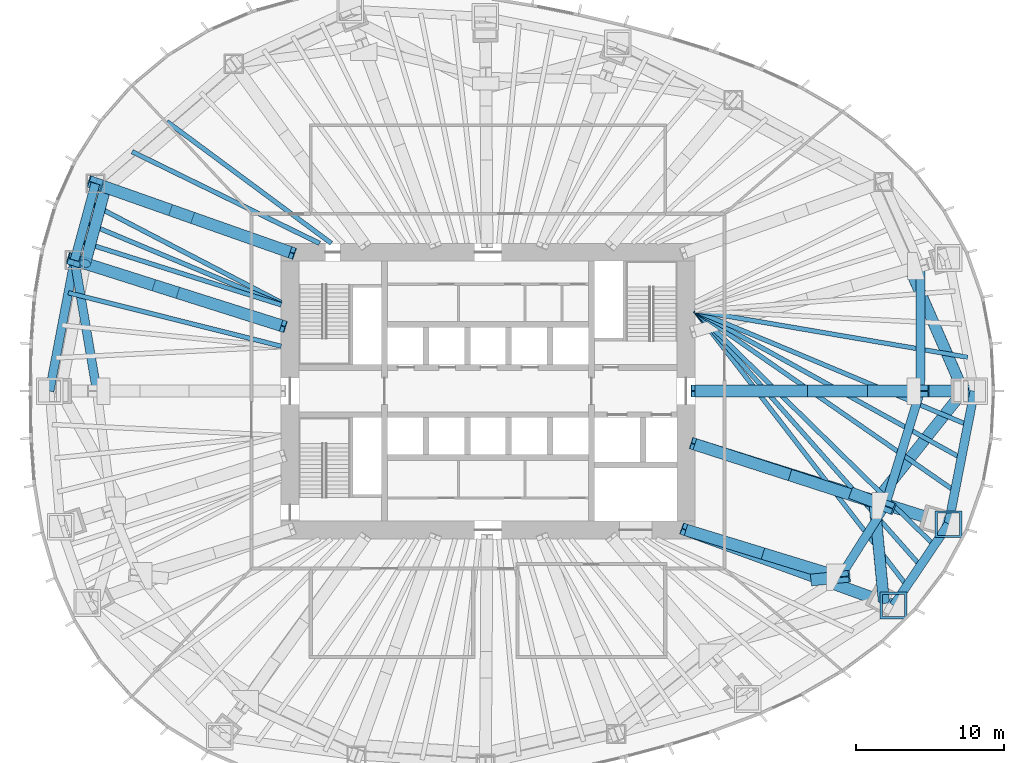
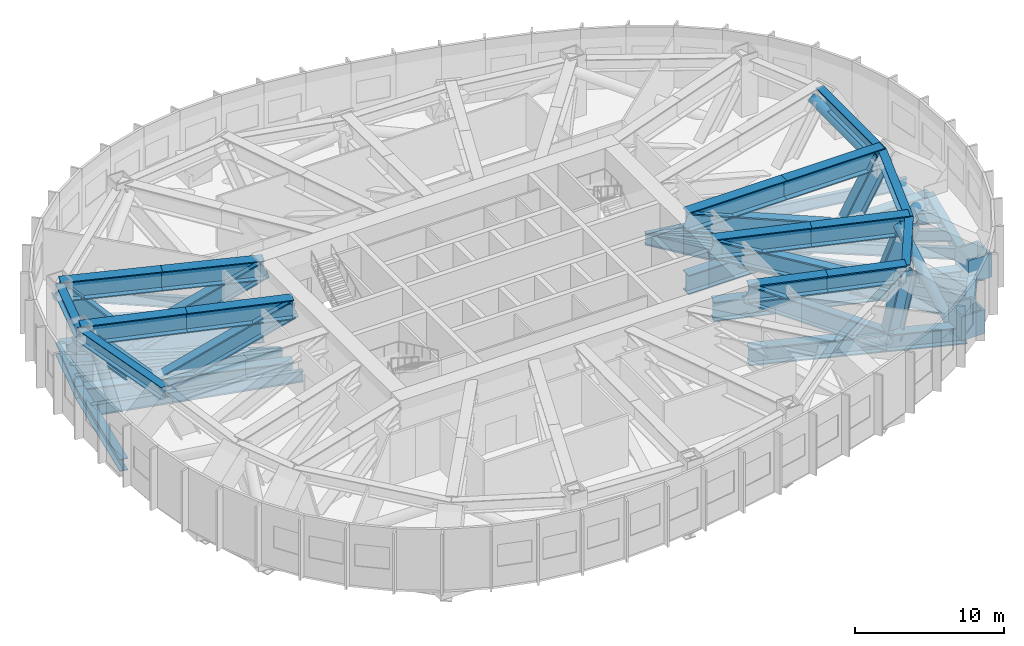
# One storey, part 3 of 12: 36 members, 17 beams.
"""IFC4 building model written with IfcOpenShell, lengths in metres."""

from ifc_helpers import new_model, si_unit, direction, frame, origin, origin_2d, place, context, subcontext, project, spatial, hollow_rectangle, hollow_circle, i_section, extrude, material, material_profile, profile_set, type_object, element, save


model = new_model("IFC4")

# Units and contexts
model_context = context("Model", 3, precision=1e-05, world=origin(), true_north=direction((0.0, 1.0)))
body_context = subcontext(model_context, "Body", "Model", "MODEL_VIEW")
ifc_project = project(units=[si_unit("LENGTHUNIT", "METRE"), si_unit("AREAUNIT", "SQUARE_METRE"), si_unit("VOLUMEUNIT", "CUBIC_METRE"), si_unit("PLANEANGLEUNIT", "RADIAN"), si_unit("MASSUNIT", "GRAM", prefix="KILO")], contexts=[model_context])

# Site, building, storey
site_placement = place(None, origin())
site = spatial("IfcSite", under=ifc_project, at=site_placement, CompositionType="ELEMENT")
building_placement = place(site_placement, origin())
building = spatial("IfcBuilding", under=site, at=building_placement, Name="Ghaith Harvest Tower", CompositionType="ELEMENT")
storey_placement = place(building_placement, frame((0.0, 0.0, 100.0)))
storey = spatial("IfcBuildingStorey", under=building, at=storey_placement, Name="L20", CompositionType="ELEMENT", Elevation=100.0)

# Members
ifc_material_1 = material(Name="Steel S460", Category="steel")
ifc_material_profile_1 = material_profile(ifc_material_1, i_section(OverallWidth=0.60009765625, OverallDepth=1.0, WebThickness=0.02490234375, FlangeThickness=0.050048828125, at=origin_2d()), Name="PG1000X600X25X50")
ifc_profile_set_1 = profile_set([ifc_material_profile_1], Name="Steel S460")
member_type_1 = type_object("IfcMemberType", Name="BCPG1000-600-25-50 PG1000X600X25X50", PredefinedType="CHORD", material=ifc_profile_set_1)
member_1_placement = place(storey_placement, frame((29.259033203125, 0.0, 4.030029296875), z_axis=(0.003172847394, 0.999994966507, 0.0), x_axis=(-0.999994966507, 0.003172847394, 0.0)))
element("IfcMember", 1, at=member_1_placement, inside=storey, type_object=member_type_1, Name="Belt truss BT01 top chord", PredefinedType="CHORD", context=body_context, shape_type="SweptSolid", body=[
    extrude(i_section(OverallWidth=0.60009765625, OverallDepth=1.0, WebThickness=0.02490234375, FlangeThickness=0.050048828125, at=origin_2d()), origin(), (0.0, 0.0, 1.0), 8.464111328125),
])
member_2_placement = place(storey_placement, frame((-26.572998046875, 14.0458984375, 4.030029296875), z_axis=(-0.262724740433, -0.964870825947, 0.0), x_axis=(0.964870825947, -0.262724740433, 0.0)))
element("IfcMember", 2, at=member_2_placement, inside=storey, type_object=member_type_1, Name="Belt truss BT09 top chord", PredefinedType="CHORD", context=body_context, shape_type="SweptSolid", body=[
    extrude(i_section(OverallWidth=0.60009765625, OverallDepth=1.0, WebThickness=0.02490234375, FlangeThickness=0.050048828125, at=origin_2d()), origin(), (0.0, 0.0, 1.0), 5.366455078125),
])
member_3_placement = place(storey_placement, frame((-27.98291015625, 8.867919921875, 4.030029296875), z_axis=(0.167624246844, -0.985850958244, 0.0), x_axis=(0.985850958244, 0.167624246844, 0.0)))
element("IfcMember", 3, at=member_3_placement, inside=storey, type_object=member_type_1, Name="Belt truss BT10 top chord", PredefinedType="CHORD", context=body_context, shape_type="SweptSolid", body=[
    extrude(i_section(OverallWidth=0.60009765625, OverallDepth=1.0, WebThickness=0.02490234375, FlangeThickness=0.050048828125, at=origin_2d()), origin(), (0.0, 0.0, 1.0), 8.9951171875),
])
member_4_placement = place(storey_placement, frame((23.825927734375, -12.593994140625, 4.030029296875), z_axis=(0.534499624093, 0.845168712059, 0.0), x_axis=(-0.845168712059, 0.534499624093, 0.0)))
element("IfcMember", 4, at=member_4_placement, inside=storey, type_object=member_type_1, Name="Belt truss BT19 top chord", PredefinedType="CHORD", context=body_context, shape_type="SweptSolid", body=[
    extrude(i_section(OverallWidth=0.60009765625, OverallDepth=1.0, WebThickness=0.02490234375, FlangeThickness=0.050048828125, at=origin_2d()), origin(), (0.0, 0.0, 1.0), 5.7099609375),
])
member_5_placement = place(storey_placement, frame((26.8779296875, -7.76806640625, 4.030029296875), z_axis=(0.293065809375, 0.956092271371, 0.0), x_axis=(-0.956092271371, 0.293065809375, 0.0)))
element("IfcMember", 5, at=member_5_placement, inside=storey, type_object=member_type_1, Name="Belt truss BT20 top chord", PredefinedType="CHORD", context=body_context, shape_type="SweptSolid", body=[
    extrude(i_section(OverallWidth=0.60009765625, OverallDepth=1.0, WebThickness=0.02490234375, FlangeThickness=0.050048828125, at=origin_2d()), origin(), (0.0, 0.0, 1.0), 8.124755859375),
])
ifc_material_2 = material(Name="Steel ASTM A992 Grade 50", Category="steel")
ifc_material_profile_2 = material_profile(ifc_material_2, hollow_circle(Radius=0.381103515625, WallThickness=0.01904296875, at=origin_2d()), Name="HSS762X19.1")
ifc_profile_set_2 = profile_set([ifc_material_profile_2], Name="Steel ASTM A992 Grade 50")
member_type_2 = type_object("IfcMemberType", Name="BD762 HSS762X19.1", PredefinedType="BRACE", material=ifc_profile_set_2)
member_6_placement = place(storey_placement, frame((32.175048828125, 0.0, -1.10009765625), z_axis=(-0.348131627336, 0.796240724383, 0.49477780759), x_axis=(-0.916251831755, -0.400602771839, 0.0)))
element("IfcMember", 6, at=member_6_placement, inside=storey, type_object=member_type_2, Name="Belt truss BT01 diagonal", PredefinedType="BRACE", context=body_context, shape_type="SweptSolid", body=[
    extrude(hollow_circle(Radius=0.381103515625, WallThickness=0.01904296875, at=origin_2d()), origin(), (0.0, 0.0, 1.0), 10.36865234375),
])
member_7_placement = place(storey_placement, frame((-25.909912109375, 13.695556640625, -1.10009765625), z_axis=(-0.185323619016, -0.689658378728, 0.700018911806), x_axis=(0.965739961259, -0.25951170923, 0.0)))
element("IfcMember", 7, at=member_7_placement, inside=storey, type_object=member_type_2, Name="Belt truss BT09 diagonal", PredefinedType="BRACE", context=body_context, shape_type="SweptSolid", body=[
    extrude(hollow_circle(Radius=0.381103515625, WallThickness=0.01904296875, at=origin_2d()), origin(), (0.0, 0.0, 1.0), 7.32861328125),
])
member_8_placement = place(storey_placement, frame((26.785888671875, -14.158447265625, -1.10009765625), z_axis=(-0.074973842478, 0.787254473385, 0.612053361301), x_axis=(-0.995495803662, -0.094805616347, 0.0)))
element("IfcMember", 8, at=member_8_placement, inside=storey, type_object=member_type_2, Name="Belt truss BT19 diagonal", PredefinedType="BRACE", context=body_context, shape_type="SweptSolid", body=[
    extrude(hollow_circle(Radius=0.381103515625, WallThickness=0.01904296875, at=origin_2d()), origin(), (0.0, 0.0, 1.0), 8.3818359375),
])
member_9_placement = place(storey_placement, frame((26.157470703125, -7.559814453125, 4.030029296875), z_axis=(0.550060558025, 0.691034776828, -0.468939569368), x_axis=(-0.782394822046, 0.622782740959, 0.0)))
element("IfcMember", 9, at=member_9_placement, inside=storey, type_object=member_type_2, Name="Belt truss BT20 diagonal", PredefinedType="BRACE", context=body_context, shape_type="SweptSolid", body=[
    extrude(hollow_circle(Radius=0.381103515625, WallThickness=0.01904296875, at=origin_2d()), origin(), (0.0, 0.0, 1.0), 10.93994140625),
])

# Beams
ifc_material_3 = material(Name="Steel S460", Category="steel")
ifc_material_profile_3 = material_profile(ifc_material_3, i_section(OverallWidth=0.60009765625, OverallDepth=1.0, WebThickness=0.02490234375, FlangeThickness=0.050048828125, at=origin_2d()), Name="PG1000X600X25X50")
ifc_profile_set_3 = profile_set([ifc_material_profile_3], Name="Steel S460")
beam_type_1 = type_object("IfcBeamType", Name="EPG1000 PG1000X600X25X50", PredefinedType="SPANDREL", material=ifc_profile_set_3)
beam_1_placement = place(storey_placement, frame((-26.572998046875, 14.0458984375, -0.800048828125), z_axis=(-0.262724740433, -0.964870825947, 0.0), x_axis=(0.964870825947, -0.262724740433, 0.0)))
element("IfcBeam", 10, at=beam_1_placement, inside=storey, type_object=beam_type_1, Name="Edge beam E09 L20", PredefinedType="SPANDREL", context=body_context, shape_type="SweptSolid", body=[
    extrude(i_section(OverallWidth=0.60009765625, OverallDepth=1.0, WebThickness=0.02490234375, FlangeThickness=0.050048828125, at=origin_2d()), origin(), (0.0, 0.0, 1.0), 5.366455078125),
])
beam_2_placement = place(storey_placement, frame((-27.98291015625, 8.867919921875, -0.800048828125), z_axis=(-0.187433949108, -0.982277208695, 0.0), x_axis=(0.982277208695, -0.187433949108, 0.0)))
element("IfcBeam", 11, at=beam_2_placement, inside=storey, type_object=beam_type_1, Name="Edge beam E10 L20", PredefinedType="SPANDREL", context=body_context, shape_type="SweptSolid", body=[
    extrude(i_section(OverallWidth=0.60009765625, OverallDepth=1.0, WebThickness=0.02490234375, FlangeThickness=0.050048828125, at=origin_2d()), origin(), (0.0, 0.0, 1.0), 9.02783203125),
])
beam_3_placement = place(storey_placement, frame((27.448974609375, -14.509033203125, -0.800048828125), z_axis=(0.559874470017, 0.828577442261, 0.0), x_axis=(-0.828577442261, 0.559874470017, 0.0)))
element("IfcBeam", 12, at=beam_3_placement, inside=storey, type_object=beam_type_1, Name="Edge beam E19 L20", PredefinedType="SPANDREL", context=body_context, shape_type="SweptSolid", body=[
    extrude(i_section(OverallWidth=0.60009765625, OverallDepth=1.0, WebThickness=0.02490234375, FlangeThickness=0.050048828125, at=origin_2d()), origin(), (0.0, 0.0, 1.0), 6.63916015625),
])
beam_4_placement = place(storey_placement, frame((31.166015625, -9.008056640625, -0.800048828125), z_axis=(0.191653479461, 0.981462655332, 0.0), x_axis=(-0.981462655332, 0.191653479461, 0.0)))
element("IfcBeam", 13, at=beam_4_placement, inside=storey, type_object=beam_type_1, Name="Edge beam E20 L20", PredefinedType="SPANDREL", context=body_context, shape_type="SweptSolid", body=[
    extrude(i_section(OverallWidth=0.60009765625, OverallDepth=1.0, WebThickness=0.02490234375, FlangeThickness=0.050048828125, at=origin_2d()), origin(), (0.0, 0.0, 1.0), 9.17822265625),
])
ifc_material_4 = material(Name="Steel ASTM A992 Grade 50", Category="steel")
ifc_material_profile_4 = material_profile(ifc_material_4, i_section(OverallWidth=0.31005859375, OverallDepth=0.927001953125, WebThickness=0.019287109375, FlangeThickness=0.031982421875, at=origin_2d()), Name="W920X289")
ifc_profile_set_4 = profile_set([ifc_material_profile_4], Name="Steel ASTM A992 Grade 50")
beam_type_2 = type_object("IfcBeamType", Name="J920-289 W920X289", PredefinedType="JOIST", material=ifc_profile_set_4)
beam_5_placement = place(storey_placement, frame((-10.60009765625, 10.0, -0.763427734375), z_axis=(-0.803663089107, 0.595084564752, 0.0), x_axis=(-0.595084564752, -0.803663089107, 0.0)))
element("IfcBeam", 14, at=beam_5_placement, inside=storey, type_object=beam_type_2, Name="Joist J08.2 L20", PredefinedType="JOIST", context=body_context, shape_type="SweptSolid", body=[
    extrude(i_section(OverallWidth=0.31005859375, OverallDepth=0.927001953125, WebThickness=0.019287109375, FlangeThickness=0.031982421875, at=origin_2d()), origin(), (0.0, 0.0, 1.0), 13.843505859375),
])
beam_6_placement = place(storey_placement, frame((-11.39990234375, 10.0, -0.763427734375), z_axis=(-0.898274832354, 0.439434096946, 0.0), x_axis=(-0.439434096946, -0.898274832354, 0.0)))
element("IfcBeam", 15, at=beam_6_placement, inside=storey, type_object=beam_type_2, Name="Joist J08.3 L20", PredefinedType="JOIST", context=body_context, shape_type="SweptSolid", body=[
    extrude(i_section(OverallWidth=0.31005859375, OverallDepth=0.927001953125, WebThickness=0.019287109375, FlangeThickness=0.031982421875, at=origin_2d()), origin(), (0.0, 0.0, 1.0), 14.114990234375),
])
beam_7_placement = place(storey_placement, frame((-14.0, 6.0, -0.763427734375), z_axis=(-0.887199250572, 0.461386486347, 0.0), x_axis=(-0.461386486347, -0.887199250572, 0.0)))
element("IfcBeam", 16, at=beam_7_placement, inside=storey, type_object=beam_type_2, Name="Joist J09.1 L20", PredefinedType="JOIST", context=body_context, shape_type="SweptSolid", body=[
    extrude(i_section(OverallWidth=0.31005859375, OverallDepth=0.927001953125, WebThickness=0.019287109375, FlangeThickness=0.031982421875, at=origin_2d()), origin(), (0.0, 0.0, 1.0), 14.576904296875),
])
beam_8_placement = place(storey_placement, frame((-14.0, 5.862548828125, -0.763427734375), z_axis=(-0.922385943167, 0.38626955853, 0.0), x_axis=(-0.38626955853, -0.922385943167, 0.0)))
element("IfcBeam", 17, at=beam_8_placement, inside=storey, type_object=beam_type_2, Name="Joist J09.2 L20", PredefinedType="JOIST", context=body_context, shape_type="SweptSolid", body=[
    extrude(i_section(OverallWidth=0.31005859375, OverallDepth=0.927001953125, WebThickness=0.019287109375, FlangeThickness=0.031982421875, at=origin_2d()), origin(), (0.0, 0.0, 1.0), 14.404296875),
])
beam_9_placement = place(storey_placement, frame((-14.0, 5.8369140625, -0.763427734375), z_axis=(-0.953596340012, 0.301088060733, 0.0), x_axis=(-0.301088060733, -0.953596340012, 0.0)))
element("IfcBeam", 18, at=beam_9_placement, inside=storey, type_object=beam_type_2, Name="Joist J09.3 L20", PredefinedType="JOIST", context=body_context, shape_type="SweptSolid", body=[
    extrude(i_section(OverallWidth=0.31005859375, OverallDepth=0.927001953125, WebThickness=0.019287109375, FlangeThickness=0.031982421875, at=origin_2d()), origin(), (0.0, 0.0, 1.0), 14.299560546875),
])
beam_10_placement = place(storey_placement, frame((-14.0, 3.036865234375, -0.763427734375), z_axis=(-0.969854649432, 0.243684137719, 0.0), x_axis=(-0.243684137719, -0.969854649432, 0.0)))
element("IfcBeam", 19, at=beam_10_placement, inside=storey, type_object=beam_type_2, Name="Joist J10.1 L20", PredefinedType="JOIST", context=body_context, shape_type="SweptSolid", body=[
    extrude(i_section(OverallWidth=0.31005859375, OverallDepth=0.927001953125, WebThickness=0.019287109375, FlangeThickness=0.031982421875, at=origin_2d()), origin(), (0.0, 0.0, 1.0), 14.852783203125),
])
ifc_material_5 = material(Name="Steel ASTM A992 Grade 50", Category="steel")
ifc_material_profile_5 = material_profile(ifc_material_5, i_section(OverallWidth=0.306884765625, OverallDepth=0.94189453125, WebThickness=0.022216796875, FlangeThickness=0.039794921875, at=origin_2d()), Name="W920X345")
ifc_profile_set_5 = profile_set([ifc_material_profile_5], Name="Steel ASTM A992 Grade 50")
beam_type_3 = type_object("IfcBeamType", Name="J920-345 W920X345", PredefinedType="JOIST", material=ifc_profile_set_5)
beam_11_placement = place(storey_placement, frame((14.0, 5.4462890625, -0.77099609375), z_axis=(0.9857065313, -0.168471463909, 0.0), x_axis=(0.168471463909, 0.9857065313, 0.0)))
element("IfcBeam", 20, at=beam_11_placement, inside=storey, type_object=beam_type_3, Name="Joist J01.1 L20", PredefinedType="JOIST", context=body_context, shape_type="SweptSolid", body=[
    extrude(i_section(OverallWidth=0.306884765625, OverallDepth=0.94189453125, WebThickness=0.022216796875, FlangeThickness=0.039794921875, at=origin_2d()), origin(), (0.0, 0.0, 1.0), 18.746337890625),
])
beam_12_placement = place(storey_placement, frame((14.0, 5.4462890625, -0.77099609375), z_axis=(0.610423171881, -0.792075470666, 0.0), x_axis=(0.792075470666, 0.610423171881, 0.0)))
element("IfcBeam", 21, at=beam_12_placement, inside=storey, type_object=beam_type_3, Name="Joist J19.1 L20", PredefinedType="JOIST", context=body_context, shape_type="SweptSolid", body=[
    extrude(i_section(OverallWidth=0.306884765625, OverallDepth=0.94189453125, WebThickness=0.022216796875, FlangeThickness=0.039794921875, at=origin_2d()), origin(), (0.0, 0.0, 1.0), 23.50927734375),
])
beam_13_placement = place(storey_placement, frame((14.0, 5.4462890625, -0.77099609375), z_axis=(0.662429185942, -0.74912453812, 0.0), x_axis=(0.74912453812, 0.662429185942, 0.0)))
element("IfcBeam", 22, at=beam_13_placement, inside=storey, type_object=beam_type_3, Name="Joist J19.2 L20", PredefinedType="JOIST", context=body_context, shape_type="SweptSolid", body=[
    extrude(i_section(OverallWidth=0.306884765625, OverallDepth=0.94189453125, WebThickness=0.022216796875, FlangeThickness=0.039794921875, at=origin_2d()), origin(), (0.0, 0.0, 1.0), 23.046875),
])
beam_14_placement = place(storey_placement, frame((14.0, 5.4462890625, -0.77099609375), z_axis=(0.714226825823, -0.699914309952, 0.0), x_axis=(0.699914309952, 0.714226825823, 0.0)))
element("IfcBeam", 23, at=beam_14_placement, inside=storey, type_object=beam_type_3, Name="Joist J19.3 L20", PredefinedType="JOIST", context=body_context, shape_type="SweptSolid", body=[
    extrude(i_section(OverallWidth=0.306884765625, OverallDepth=0.94189453125, WebThickness=0.022216796875, FlangeThickness=0.039794921875, at=origin_2d()), origin(), (0.0, 0.0, 1.0), 22.68701171875),
])
beam_15_placement = place(storey_placement, frame((14.0, 5.4462890625, -0.77099609375), z_axis=(0.821555873649, -0.570128008847, 0.0), x_axis=(0.570128008847, 0.821555873649, 0.0)))
element("IfcBeam", 24, at=beam_15_placement, inside=storey, type_object=beam_type_3, Name="Joist J20.1 L20", PredefinedType="JOIST", context=body_context, shape_type="SweptSolid", body=[
    extrude(i_section(OverallWidth=0.306884765625, OverallDepth=0.94189453125, WebThickness=0.022216796875, FlangeThickness=0.039794921875, at=origin_2d()), origin(), (0.0, 0.0, 1.0), 21.426513671875),
])
beam_16_placement = place(storey_placement, frame((14.0, 5.4462890625, -0.77099609375), z_axis=(0.874944812006, -0.484222651209, 0.0), x_axis=(0.484222651209, 0.874944812006, 0.0)))
element("IfcBeam", 25, at=beam_16_placement, inside=storey, type_object=beam_type_3, Name="Joist J20.2 L20", PredefinedType="JOIST", context=body_context, shape_type="SweptSolid", body=[
    extrude(i_section(OverallWidth=0.306884765625, OverallDepth=0.94189453125, WebThickness=0.022216796875, FlangeThickness=0.039794921875, at=origin_2d()), origin(), (0.0, 0.0, 1.0), 20.617431640625),
])
beam_17_placement = place(storey_placement, frame((14.0, 5.4462890625, -0.77099609375), z_axis=(0.922453708372, -0.386107699885, 0.0), x_axis=(0.386107699885, 0.922453708372, 0.0)))
element("IfcBeam", 26, at=beam_17_placement, inside=storey, type_object=beam_type_3, Name="Joist J20.3 L20", PredefinedType="JOIST", context=body_context, shape_type="SweptSolid", body=[
    extrude(i_section(OverallWidth=0.306884765625, OverallDepth=0.94189453125, WebThickness=0.022216796875, FlangeThickness=0.039794921875, at=origin_2d()), origin(), (0.0, 0.0, 1.0), 20.03173828125),
])

# Members
ifc_material_6 = material(Name="Steel S690QL", Category="steel")
ifc_material_profile_6 = material_profile(ifc_material_6, hollow_rectangle(XDim=1.800048828125, YDim=1.800048828125, WallThickness=0.14990234375, at=origin_2d()), Name="BOX1800X1800X150")
ifc_profile_set_6 = profile_set([ifc_material_profile_6], Name="Steel S690QL")
member_type_3 = type_object("IfcMemberType", Name="KN3 BOX1800X1800X150", PredefinedType="USERDEFINED", material=ifc_profile_set_6)
for number, where, z_axis, x_axis, name in (
    (27, (27.448974609375, -14.509033203125, -0.97509765625), (0.0, 0.0, 1.0), (1.0, 0.0, 0.0), "Raked column kink node C19 base L20"),
    (28, (31.166015625, -9.008056640625, -0.97509765625), (0.0, 0.0, 1.0), (1.0, 0.0, 0.0), "Raked column kink node C20 base L20"),
):
    element("IfcMember", number, at=place(storey_placement, frame(where, z_axis=z_axis, x_axis=x_axis)), inside=storey, type_object=member_type_3, Name=name, ObjectType="KINK NODE", PredefinedType="USERDEFINED", context=body_context, shape_type="SweptSolid", body=[
        extrude(hollow_rectangle(XDim=1.800048828125, YDim=1.800048828125, WallThickness=0.14990234375, at=origin_2d()), origin(), (0.0, 0.0, 1.0), 1.9501953125),
    ])
ifc_material_7 = material(Name="Steel S460", Category="steel")
ifc_material_profile_7 = material_profile(ifc_material_7, i_section(OverallWidth=0.800048828125, OverallDepth=1.39990234375, WebThickness=0.050048828125, FlangeThickness=0.10009765625, at=origin_2d()), Name="PG1400X800X50X100")
ifc_profile_set_7 = profile_set([ifc_material_profile_7], Name="Steel S460")
member_type_4 = type_object("IfcMemberType", Name="OC1400 PG1400X800X50X100", PredefinedType="CHORD", material=ifc_profile_set_7)
member_10_placement = place(storey_placement, frame((13.39990234375, -9.39990234375, -1.10009765625), z_axis=(0.939785317172, -0.341765354635, 0.0), x_axis=(0.341765354635, 0.939785317172, 0.0)))
element("IfcMember", 29, at=member_10_placement, inside=storey, type_object=member_type_4, Name="Outrigger truss OT19 bottom chord", PredefinedType="CHORD", context=body_context, shape_type="SweptSolid", body=[
    extrude(i_section(OverallWidth=0.800048828125, OverallDepth=1.39990234375, WebThickness=0.050048828125, FlangeThickness=0.10009765625, at=origin_2d()), origin(), (0.0, 0.0, 1.0), 14.94921875),
])
member_11_placement = place(storey_placement, frame((13.39990234375, -9.39990234375, 4.030029296875), z_axis=(0.956132661789, -0.292934008028, 0.0), x_axis=(0.292934008028, 0.956132661789, 0.0)))
element("IfcMember", 30, at=member_11_placement, inside=storey, type_object=member_type_4, Name="Outrigger truss OT19 top chord 1", PredefinedType="CHORD", context=body_context, shape_type="SweptSolid", body=[
    extrude(i_section(OverallWidth=0.800048828125, OverallDepth=1.39990234375, WebThickness=0.050048828125, FlangeThickness=0.10009765625, at=origin_2d()), origin(), (0.0, 0.0, 1.0), 5.452392578125),
])
member_12_placement = place(storey_placement, frame((18.613037109375, -10.9970703125, 4.030029296875), z_axis=(0.956141360922, -0.292905612673, 0.0), x_axis=(0.292905612673, 0.956141360922, 0.0)))
element("IfcMember", 31, at=member_12_placement, inside=storey, type_object=member_type_4, Name="Outrigger truss OT19 top chord 2", PredefinedType="CHORD", context=body_context, shape_type="SweptSolid", body=[
    extrude(i_section(OverallWidth=0.800048828125, OverallDepth=1.39990234375, WebThickness=0.050048828125, FlangeThickness=0.10009765625, at=origin_2d()), origin(), (0.0, 0.0, 1.0), 5.451904296875),
])
ifc_material_8 = material(Name="Steel S460", Category="steel")
ifc_material_profile_8 = material_profile(ifc_material_8, i_section(OverallWidth=0.800048828125, OverallDepth=1.60009765625, WebThickness=0.0400390625, FlangeThickness=0.080078125, at=origin_2d()), Name="PG1600X800X40X80")
ifc_profile_set_8 = profile_set([ifc_material_profile_8], Name="Steel S460")
member_type_5 = type_object("IfcMemberType", Name="OC1600 PG1600X800X40X80", PredefinedType="CHORD", material=ifc_profile_set_8)
member_13_placement = place(storey_placement, frame((14.0, 0.0, -1.10009765625), z_axis=(1.0, 0.0, 0.0), x_axis=(0.0, 1.0, 0.0)))
element("IfcMember", 32, at=member_13_placement, inside=storey, type_object=member_type_5, Name="Outrigger truss OT01 bottom chord", PredefinedType="CHORD", context=body_context, shape_type="SweptSolid", body=[
    extrude(i_section(OverallWidth=0.800048828125, OverallDepth=1.60009765625, WebThickness=0.0400390625, FlangeThickness=0.080078125, at=origin_2d()), origin(), (0.0, 0.0, 1.0), 18.925048828125),
])
member_14_placement = place(storey_placement, frame((14.0, 0.0, 4.030029296875), z_axis=(1.0, 0.0, 0.0), x_axis=(0.0, 1.0, 0.0)))
element("IfcMember", 33, at=member_14_placement, inside=storey, type_object=member_type_5, Name="Outrigger truss OT01 top chord 1", PredefinedType="CHORD", context=body_context, shape_type="SweptSolid", body=[
    extrude(i_section(OverallWidth=0.800048828125, OverallDepth=1.60009765625, WebThickness=0.0400390625, FlangeThickness=0.080078125, at=origin_2d()), origin(), (0.0, 0.0, 1.0), 7.62939453125),
])
member_15_placement = place(storey_placement, frame((21.62939453125, 0.0, 4.030029296875), z_axis=(1.0, 0.0, 0.0), x_axis=(0.0, 1.0, 0.0)))
element("IfcMember", 34, at=member_15_placement, inside=storey, type_object=member_type_5, Name="Outrigger truss OT01 top chord 2", PredefinedType="CHORD", context=body_context, shape_type="SweptSolid", body=[
    extrude(i_section(OverallWidth=0.800048828125, OverallDepth=1.60009765625, WebThickness=0.0400390625, FlangeThickness=0.080078125, at=origin_2d()), origin(), (0.0, 0.0, 1.0), 7.629638671875),
])
member_16_placement = place(storey_placement, frame((-13.39990234375, 9.39990234375, -1.10009765625), z_axis=(-0.943065169723, 0.332608006001, 0.0), x_axis=(-0.332608006001, -0.943065169723, 0.0)))
element("IfcMember", 35, at=member_16_placement, inside=storey, type_object=member_type_5, Name="Outrigger truss OT09 bottom chord", PredefinedType="CHORD", context=body_context, shape_type="SweptSolid", body=[
    extrude(i_section(OverallWidth=0.800048828125, OverallDepth=1.60009765625, WebThickness=0.0400390625, FlangeThickness=0.080078125, at=origin_2d()), origin(), (0.0, 0.0, 1.0), 13.96826171875),
])
member_17_placement = place(storey_placement, frame((-13.39990234375, 9.39990234375, 4.030029296875), z_axis=(-0.943067103242, 0.332602523717, 0.0), x_axis=(-0.332602523717, -0.943067103242, 0.0)))
element("IfcMember", 36, at=member_17_placement, inside=storey, type_object=member_type_5, Name="Outrigger truss OT09 top chord 1", PredefinedType="CHORD", context=body_context, shape_type="SweptSolid", body=[
    extrude(i_section(OverallWidth=0.800048828125, OverallDepth=1.60009765625, WebThickness=0.0400390625, FlangeThickness=0.080078125, at=origin_2d()), origin(), (0.0, 0.0, 1.0), 6.984375),
])
member_18_placement = place(storey_placement, frame((-19.986572265625, 11.722900390625, 4.030029296875), z_axis=(-0.943063236107, 0.332613488456, 0.0), x_axis=(-0.332613488456, -0.943063236107, 0.0)))
element("IfcMember", 37, at=member_18_placement, inside=storey, type_object=member_type_5, Name="Outrigger truss OT09 top chord 2", PredefinedType="CHORD", context=body_context, shape_type="SweptSolid", body=[
    extrude(i_section(OverallWidth=0.800048828125, OverallDepth=1.60009765625, WebThickness=0.0400390625, FlangeThickness=0.080078125, at=origin_2d()), origin(), (0.0, 0.0, 1.0), 6.984130859375),
])
member_19_placement = place(storey_placement, frame((-14.0, 4.43701171875, -1.10009765625), z_axis=(-0.953283605796, 0.302076756671, 0.0), x_axis=(-0.302076756671, -0.953283605796, 0.0)))
element("IfcMember", 38, at=member_19_placement, inside=storey, type_object=member_type_5, Name="Outrigger truss OT10 bottom chord", PredefinedType="CHORD", context=body_context, shape_type="SweptSolid", body=[
    extrude(i_section(OverallWidth=0.800048828125, OverallDepth=1.60009765625, WebThickness=0.0400390625, FlangeThickness=0.080078125, at=origin_2d()), origin(), (0.0, 0.0, 1.0), 14.668212890625),
])
member_20_placement = place(storey_placement, frame((-14.0, 4.43701171875, 4.030029296875), z_axis=(-0.953288398663, 0.302061631088, 0.0), x_axis=(-0.302061631088, -0.953288398663, 0.0)))
element("IfcMember", 39, at=member_20_placement, inside=storey, type_object=member_type_5, Name="Outrigger truss OT10 top chord 1", PredefinedType="CHORD", context=body_context, shape_type="SweptSolid", body=[
    extrude(i_section(OverallWidth=0.800048828125, OverallDepth=1.60009765625, WebThickness=0.0400390625, FlangeThickness=0.080078125, at=origin_2d()), origin(), (0.0, 0.0, 1.0), 7.333984375),
])
member_21_placement = place(storey_placement, frame((-20.991455078125, 6.65234375, 4.030029296875), z_axis=(-0.953278812737, 0.302091882026, 0.0), x_axis=(-0.302091882026, -0.953278812737, 0.0)))
element("IfcMember", 40, at=member_21_placement, inside=storey, type_object=member_type_5, Name="Outrigger truss OT10 top chord 2", PredefinedType="CHORD", context=body_context, shape_type="SweptSolid", body=[
    extrude(i_section(OverallWidth=0.800048828125, OverallDepth=1.60009765625, WebThickness=0.0400390625, FlangeThickness=0.080078125, at=origin_2d()), origin(), (0.0, 0.0, 1.0), 7.334228515625),
])
member_22_placement = place(storey_placement, frame((14.0, -3.60009765625, -1.10009765625), z_axis=(0.953788071692, -0.300480139607, 0.0), x_axis=(0.300480139607, 0.953788071692, 0.0)))
element("IfcMember", 41, at=member_22_placement, inside=storey, type_object=member_type_5, Name="Outrigger truss OT20 bottom chord", PredefinedType="CHORD", context=body_context, shape_type="SweptSolid", body=[
    extrude(i_section(OverallWidth=0.800048828125, OverallDepth=1.60009765625, WebThickness=0.0400390625, FlangeThickness=0.080078125, at=origin_2d()), origin(), (0.0, 0.0, 1.0), 17.997802734375),
])
for number, where, z_axis, x_axis, name in (
    (42, (14.0, -3.60009765625, 4.030029296875), (0.951410331565, -0.307925934262, 0.0), (0.307925934262, 0.951410331565, 0.0), "Outrigger truss OT20 top chord 1"),
    (43, (20.43896484375, -5.68408203125, 4.030029296875), (0.951410331565, -0.307925934262, 0.0), (0.307925934262, 0.951410331565, 0.0), "Outrigger truss OT20 top chord 2"),
):
    element("IfcMember", number, at=place(storey_placement, frame(where, z_axis=z_axis, x_axis=x_axis)), inside=storey, type_object=member_type_5, Name=name, PredefinedType="CHORD", context=body_context, shape_type="SweptSolid", body=[
        extrude(i_section(OverallWidth=0.800048828125, OverallDepth=1.60009765625, WebThickness=0.0400390625, FlangeThickness=0.080078125, at=origin_2d()), origin(), (0.0, 0.0, 1.0), 6.767822265625),
    ])
ifc_material_9 = material(Name="Steel S460", Category="steel")
ifc_material_profile_9 = material_profile(ifc_material_9, i_section(OverallWidth=0.800048828125, OverallDepth=1.39990234375, WebThickness=0.050048828125, FlangeThickness=0.10009765625, at=origin_2d()), Name="PG1400X800X50X100")
ifc_profile_set_9 = profile_set([ifc_material_profile_9], Name="Steel S460")
member_type_6 = type_object("IfcMemberType", Name="OD1400 PG1400X800X50X100", PredefinedType="BRACE", material=ifc_profile_set_9)
member_23_placement = place(storey_placement, frame((14.0, 0.0, 4.030029296875), z_axis=(0.922954397141, 0.0, -0.384909315031), x_axis=(0.0, 1.0, 0.0)))
element("IfcMember", 44, at=member_23_placement, inside=storey, type_object=member_type_6, Name="Outrigger truss OT01 diagonal 1", PredefinedType="BRACE", context=body_context, shape_type="SweptSolid", body=[
    extrude(i_section(OverallWidth=0.800048828125, OverallDepth=1.39990234375, WebThickness=0.050048828125, FlangeThickness=0.10009765625, at=origin_2d()), origin(), (0.0, 0.0, 1.0), 13.328125),
])
member_24_placement = place(storey_placement, frame((26.30126953125, 0.0, -1.10009765625), z_axis=(0.499478542646, 0.0, 0.866326258078), x_axis=(0.0, 1.0, 0.0)))
element("IfcMember", 45, at=member_24_placement, inside=storey, type_object=member_type_6, Name="Outrigger truss OT01 diagonal 2", PredefinedType="BRACE", context=body_context, shape_type="SweptSolid", body=[
    extrude(i_section(OverallWidth=0.800048828125, OverallDepth=1.39990234375, WebThickness=0.050048828125, FlangeThickness=0.10009765625, at=origin_2d()), origin(), (0.0, 0.0, 1.0), 5.921630859375),
])
member_25_placement = place(storey_placement, frame((-13.39990234375, 9.39990234375, 4.030029296875), z_axis=(-0.821061550471, 0.289590881026, -0.491929925868), x_axis=(-0.332620384977, -0.943060803712, 0.0)))
element("IfcMember", 46, at=member_25_placement, inside=storey, type_object=member_type_6, Name="Outrigger truss OT09 diagonal 1", PredefinedType="BRACE", context=body_context, shape_type="SweptSolid", body=[
    extrude(i_section(OverallWidth=0.800048828125, OverallDepth=1.39990234375, WebThickness=0.050048828125, FlangeThickness=0.10009765625, at=origin_2d()), origin(), (0.0, 0.0, 1.0), 10.428466796875),
])
member_26_placement = place(storey_placement, frame((-21.96240234375, 12.419921875, -1.10009765625), z_axis=(-0.650609556107, 0.22944451383, 0.723921556922), x_axis=(-0.332585016113, -0.943073277671, 0.0)))
element("IfcMember", 47, at=member_26_placement, inside=storey, type_object=member_type_6, Name="Outrigger truss OT09 diagonal 2", PredefinedType="BRACE", context=body_context, shape_type="SweptSolid", body=[
    extrude(i_section(OverallWidth=0.800048828125, OverallDepth=1.39990234375, WebThickness=0.050048828125, FlangeThickness=0.10009765625, at=origin_2d()), origin(), (0.0, 0.0, 1.0), 7.086669921875),
])
member_27_placement = place(storey_placement, frame((-14.0, 4.43701171875, 4.030029296875), z_axis=(-0.839480835759, 0.266011856871, -0.473824459475), x_axis=(-0.302073610825, -0.953284602646, 0.0)))
element("IfcMember", 48, at=member_27_placement, inside=storey, type_object=member_type_6, Name="Outrigger truss OT10 diagonal 1", PredefinedType="BRACE", context=body_context, shape_type="SweptSolid", body=[
    extrude(i_section(OverallWidth=0.800048828125, OverallDepth=1.39990234375, WebThickness=0.050048828125, FlangeThickness=0.10009765625, at=origin_2d()), origin(), (0.0, 0.0, 1.0), 10.8271484375),
])
member_28_placement = place(storey_placement, frame((-23.089111328125, 7.317138671875, -1.10009765625), z_axis=(-0.674302223738, 0.213677611633, 0.706865184705), x_axis=(-0.302082599334, -0.953281754352, 0.0)))
element("IfcMember", 49, at=member_28_placement, inside=storey, type_object=member_type_6, Name="Outrigger truss OT10 diagonal 2", PredefinedType="BRACE", context=body_context, shape_type="SweptSolid", body=[
    extrude(i_section(OverallWidth=0.800048828125, OverallDepth=1.39990234375, WebThickness=0.050048828125, FlangeThickness=0.10009765625, at=origin_2d()), origin(), (0.0, 0.0, 1.0), 7.257568359375),
])
member_29_placement = place(storey_placement, frame((13.39990234375, -9.39990234375, 4.030029296875), z_axis=(0.831074118927, -0.302235028466, -0.466872355594), x_axis=(0.341769287852, 0.939783886796, 0.0)))
element("IfcMember", 50, at=member_29_placement, inside=storey, type_object=member_type_6, Name="Outrigger truss OT19 diagonal 1", PredefinedType="BRACE", context=body_context, shape_type="SweptSolid", body=[
    extrude(i_section(OverallWidth=0.800048828125, OverallDepth=1.39990234375, WebThickness=0.050048828125, FlangeThickness=0.10009765625, at=origin_2d()), origin(), (0.0, 0.0, 1.0), 10.98828125),
])
member_30_placement = place(storey_placement, frame((22.531982421875, -12.720947265625, -1.10009765625), z_axis=(0.244495072845, 0.023988195826, 0.969353767113), x_axis=(-0.097644361001, 0.995221371738, 0.0)))
element("IfcMember", 51, at=member_30_placement, inside=storey, type_object=member_type_6, Name="Outrigger truss OT19 diagonal 2", PredefinedType="BRACE", context=body_context, shape_type="SweptSolid", body=[
    extrude(i_section(OverallWidth=0.800048828125, OverallDepth=1.39990234375, WebThickness=0.050048828125, FlangeThickness=0.10009765625, at=origin_2d()), origin(), (0.0, 0.0, 1.0), 5.292236328125),
])
member_31_placement = place(storey_placement, frame((14.0, -3.60009765625, 4.030029296875), z_axis=(0.87349153109, -0.275179551991, -0.401607718154), x_axis=(0.300476095644, 0.953789345687, 0.0)))
element("IfcMember", 52, at=member_31_placement, inside=storey, type_object=member_type_6, Name="Outrigger truss OT20 diagonal 1", PredefinedType="BRACE", context=body_context, shape_type="SweptSolid", body=[
    extrude(i_section(OverallWidth=0.800048828125, OverallDepth=1.39990234375, WebThickness=0.050048828125, FlangeThickness=0.10009765625, at=origin_2d()), origin(), (0.0, 0.0, 1.0), 12.77392578125),
])
member_32_placement = place(storey_placement, frame((25.157958984375, -7.115234375, -1.10009765625), z_axis=(0.315589937698, -0.119785307793, 0.941304664421), x_axis=(0.35485825219, 0.93492011469, 0.0)))
element("IfcMember", 53, at=member_32_placement, inside=storey, type_object=member_type_6, Name="Outrigger truss OT20 diagonal 2", PredefinedType="BRACE", context=body_context, shape_type="SweptSolid", body=[
    extrude(i_section(OverallWidth=0.800048828125, OverallDepth=1.39990234375, WebThickness=0.050048828125, FlangeThickness=0.10009765625, at=origin_2d()), origin(), (0.0, 0.0, 1.0), 5.449951171875),
])

save(model, "model.ifc")
